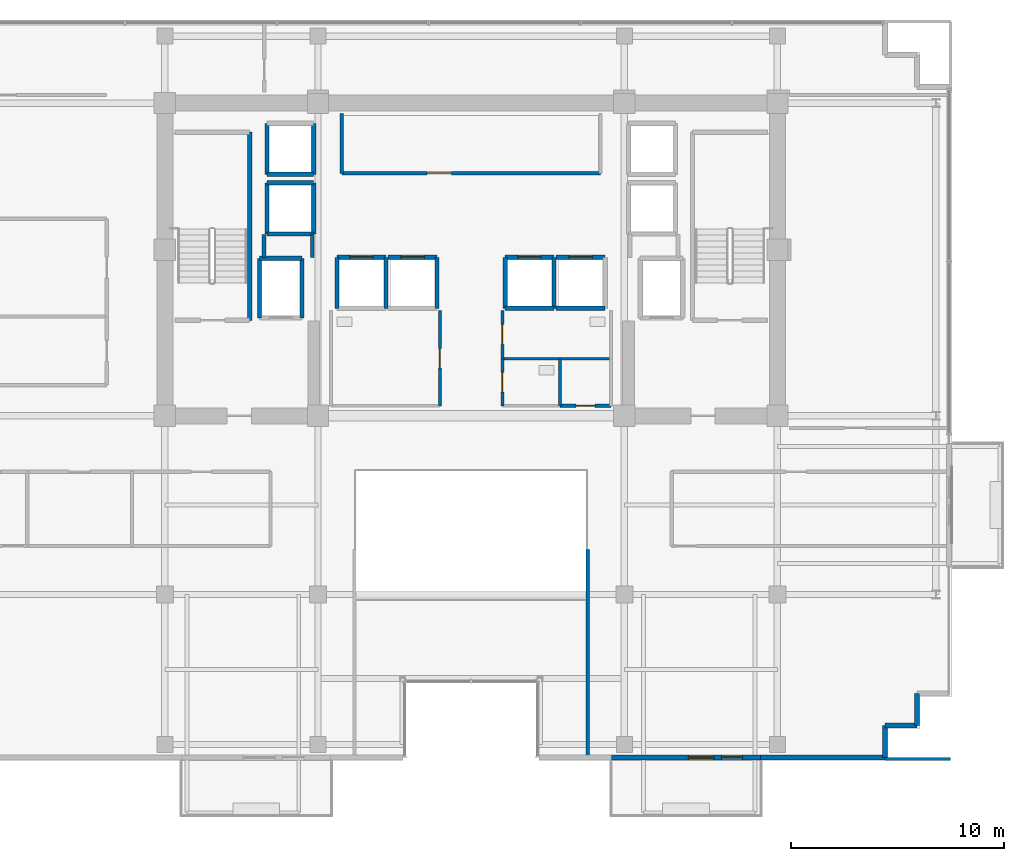
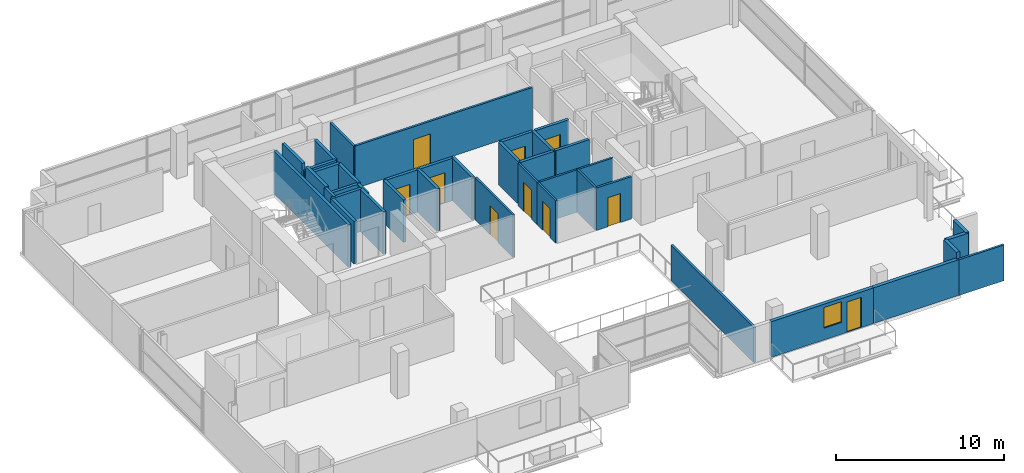
# One storey, part 19 of 25: 39 walls, 10 doors, 1 window, 11 openings.
"""IFC4 building model written with IfcOpenShell, lengths in metres."""

from ifc_helpers import new_model, si_unit, direction, frame, frame_2d, origin, place, context, subcontext, project, spatial, rectangle, extrude, source, transform, mapped, material, layer, layer_set, type_object, element, fill, save


model = new_model("IFC4")

# Units and contexts
model_context = context("Model", 3, precision=1e-05, world=origin(), true_north=direction((0.0, 1.0)))
body_context = subcontext(model_context, "Body", "Model", "MODEL_VIEW")
ifc_project = project(units=[si_unit("LENGTHUNIT", "METRE"), si_unit("AREAUNIT", "SQUARE_METRE"), si_unit("VOLUMEUNIT", "CUBIC_METRE"), si_unit("PLANEANGLEUNIT", "RADIAN"), si_unit("MASSUNIT", "GRAM", prefix="KILO")], contexts=[model_context])

# Site, building, storey
site_placement = place(None, origin())
site = spatial("IfcSite", under=ifc_project, at=site_placement, CompositionType="ELEMENT")
building_placement = place(site_placement, origin())
building = spatial("IfcBuilding", under=site, at=building_placement, Name="Zarnakvel Exchange Tower", CompositionType="ELEMENT")
storey_placement = place(building_placement, frame((0.0, 0.0, 169.300048828125)))
storey = spatial("IfcBuildingStorey", under=building, at=storey_placement, Name="L47", CompositionType="ELEMENT", Elevation=169.300048828125)

# Wall, openings, door, window
ifc_material_1 = material(Name="Precast concrete C40/50", Category="concrete")
ifc_layer_1 = layer(ifc_material_1, 0.239990234375)
ifc_layer_set_1 = layer_set([ifc_layer_1], Name="Precast concrete C40/50")
wall_type_1 = type_object("IfcWallType", Name="EW-02", PredefinedType="SOLIDWALL", material=ifc_layer_set_1)
wall_1_placement = place(storey_placement, frame((13.60009765625, -17.260009765625, 0.0), z_axis=(0.0, 0.0, 1.0), x_axis=(-1.0, 0.0, 0.0)))
wall_1 = element("IfcWall", 1, at=wall_1_placement, inside=storey, type_object=wall_type_1, Name="L47 Exterior Precast Spandrel Wall EW-BAL-L47-SE (EW-02)", PredefinedType="SOLIDWALL", context=body_context, shape_type="SweptSolid", body=[
    extrude(rectangle(XDim=7.0, YDim=0.239990234375, at=frame_2d((3.5, 0.0))), origin(), (0.0, 0.0, 1.0), 2.58984375),
])
opening_1_placement = place(wall_1_placement, frame((0.840087890625, 0.0, 0.0)))
opening_1 = element("IfcOpeningElement", 2, at=opening_1_placement, cuts=wall_1, Name="Opening BD-L47-02", PredefinedType="OPENING", context=body_context, shape_type="SweptSolid", body=[
    extrude(rectangle(XDim=1.0, YDim=2.199951171875, at=frame_2d((0.5, 1.10009765625))), frame((0.0, 0.1298828125, 0.0), z_axis=(0.0, -1.0, 0.0), x_axis=(1.0, 0.0, 0.0)), (0.0, 0.0, 1.0), 0.260009765625),
])
opening_2_placement = place(wall_1_placement, frame((2.18994140625, 0.0, 0.85009765625)))
opening_2 = element("IfcOpeningElement", 3, at=opening_2_placement, cuts=wall_1, Name="Opening WN-04", PredefinedType="OPENING", context=body_context, shape_type="SweptSolid", body=[
    extrude(rectangle(XDim=1.199951171875, YDim=1.5, at=frame_2d((0.60009765625, 0.75))), frame((0.0, 0.1298828125, 0.0), z_axis=(0.0, -1.0, 0.0), x_axis=(1.0, 0.0, 0.0)), (0.0, 0.0, 1.0), 0.260009765625),
])
ifc_material_2 = material(Name="Architectural Bronze Anodised Aluminium", Category="aluminium")
door_type_1 = type_object("IfcDoorType", Name="DT-09", OperationType="NOTDEFINED", PredefinedType="DOOR", material=ifc_material_2)
shared_shape_1 = source(origin(), body_context, "Body", "SweptSolid", [
    extrude(rectangle(XDim=1.0, YDim=2.199951171875, at=frame_2d((0.5, 1.10009765625))), frame((0.0, 0.02490234375, 0.0), z_axis=(0.0, -1.0, 0.0), x_axis=(1.0, 0.0, 0.0)), (0.0, 0.0, 1.0), 0.050048828125),
])
door_1_placement = place(opening_1_placement, origin())
door_1 = element("IfcDoor", 4, at=door_1_placement, inside=storey, type_object=door_type_1, Name="L47 Planted Loggia Balcony Door BD-L47-02", OperationType="SINGLE_SWING_RIGHT", OverallHeight=2.199951171875, OverallWidth=1.0, PredefinedType="DOOR", context=body_context, shape_type="MappedRepresentation", body=[
    mapped(shared_shape_1, transform((0.0, 0.0, 0.0), x_axis=(1.0, 0.0, 0.0), y_axis=(0.0, 1.0, 0.0), z_axis=(0.0, 0.0, 1.0), scale=1.0)),
])
fill(opening_1, door_1)
ifc_material_3 = material(Name="Double Low-E Laminated Vision Glass", Category="glass")
window_type = type_object("IfcWindowType", Name="WN-04", PartitioningType="SINGLE_PANEL", PredefinedType="WINDOW", material=ifc_material_3)
shared_shape_2 = source(origin(), body_context, "Body", "SweptSolid", [
    extrude(rectangle(XDim=1.199951171875, YDim=1.5, at=frame_2d((0.60009765625, 0.75))), frame((0.0, 0.030029296875, 0.0), z_axis=(0.0, -1.0, 0.0), x_axis=(1.0, 0.0, 0.0)), (0.0, 0.0, 1.0), 0.06005859375),
])
window_placement = place(opening_2_placement, origin())
window = element("IfcWindow", 5, at=window_placement, inside=storey, type_object=window_type, Name="L47 Loggia Daylight Window (WN-04)", OverallHeight=1.5, OverallWidth=1.199951171875, PartitioningType="SINGLE_PANEL", PredefinedType="WINDOW", context=body_context, shape_type="MappedRepresentation", body=[
    mapped(shared_shape_2, transform((0.0, 0.0, 0.0), x_axis=(1.0, 0.0, 0.0), y_axis=(0.0, 1.0, 0.0), z_axis=(0.0, 0.0, 1.0), scale=1.0)),
])
fill(opening_2, window)

# Walls
for number, where, z_axis, x_axis, name in (
    (6, (20.9599609375, -15.760009765625, 0.0), (0.0, 0.0, 1.0), (0.0, 1.0, 0.0), "L47 Exterior Precast Spandrel Wall EWC-L47-12 (EW-02)"),
    (7, (19.4599609375, -15.760009765625, 0.0), (0.0, 0.0, 1.0), (1.0, 0.0, 0.0), "L47 Exterior Precast Spandrel Wall EWC-L47-13 (EW-02)"),
    (8, (19.4599609375, -17.260009765625, 0.0), (0.0, 0.0, 1.0), (0.0, 1.0, 0.0), "L47 Exterior Precast Spandrel Wall EWC-L47-14 (EW-02)"),
):
    element("IfcWall", number, at=place(storey_placement, frame(where, z_axis=z_axis, x_axis=x_axis)), inside=storey, type_object=wall_type_1, Name=name, PredefinedType="SOLIDWALL", context=body_context, shape_type="SweptSolid", body=[
        extrude(rectangle(XDim=1.5, YDim=0.239990234375, at=frame_2d((0.75, 0.0))), origin(), (0.0, 0.0, 1.0), 3.074951171875),
    ])
wall_2_placement = place(storey_placement, frame((13.60009765625, -17.260009765625, 0.0), z_axis=(0.0, 0.0, 1.0), x_axis=(1.0, 0.0, 0.0)))
element("IfcWall", 9, at=wall_2_placement, inside=storey, type_object=wall_type_1, Name="L47 Exterior Precast Spandrel Wall EWC-L47-15 (EW-02)", PredefinedType="SOLIDWALL", context=body_context, shape_type="SweptSolid", body=[
    extrude(rectangle(XDim=5.85986328125, YDim=0.239990234375, at=frame_2d((2.929931640625, 0.0))), origin(), (0.0, 0.0, 1.0), 2.58984375),
])

# Wall, opening, door
ifc_material_4 = material(Name="Fire-Rated Gypsum Stud Partition", Category="gypsum")
ifc_layer_2 = layer(ifc_material_4, 0.14990234375)
ifc_layer_set_2 = layer_set([ifc_layer_2], Name="Fire-Rated Gypsum Stud Partition")
wall_type_2 = type_object("IfcWallType", Name="PT-01", PredefinedType="PARTITIONING", material=ifc_layer_set_2)
wall_3_placement = place(storey_placement, frame((6.080078125, 10.199951171875, 0.0), z_axis=(0.0, 0.0, 1.0), x_axis=(-1.0, 0.0, 0.0)))
wall_3 = element("IfcWall", 10, at=wall_3_placement, inside=storey, type_object=wall_type_2, Name="L47 Partition Wall PWALL-L47-011 (PT-01)", PredefinedType="PARTITIONING", context=body_context, shape_type="SweptSolid", body=[
    extrude(rectangle(XDim=12.16015625, YDim=0.14990234375, at=frame_2d((6.080078125, 0.0))), origin(), (0.0, 0.0, 1.0), 3.074951171875),
])
opening_3_placement = place(wall_3_placement, frame((7.0048828125, 0.0, 0.0)))
opening_3 = element("IfcOpeningElement", 11, at=opening_3_placement, cuts=wall_3, Name="Opening D-L47-05", PredefinedType="OPENING", context=body_context, shape_type="SweptSolid", body=[
    extrude(rectangle(XDim=1.14990234375, YDim=2.14990234375, at=frame_2d((0.574951171875, 1.074951171875))), frame((0.0, 0.0849609375, 0.0), z_axis=(0.0, -1.0, 0.0), x_axis=(1.0, 0.0, 0.0)), (0.0, 0.0, 1.0), 0.169921875),
])
ifc_material_5 = material(Name="Painted Galvanised Steel S355", Category="steel")
door_type_2 = type_object("IfcDoorType", Name="DT-04", OperationType="NOTDEFINED", PredefinedType="DOOR", material=ifc_material_5)
shared_shape_3 = source(origin(), body_context, "Body", "SweptSolid", [
    extrude(rectangle(XDim=1.14990234375, YDim=2.14990234375, at=frame_2d((0.574951171875, 1.074951171875))), frame((0.0, 0.02490234375, 0.0), z_axis=(0.0, -1.0, 0.0), x_axis=(1.0, 0.0, 0.0)), (0.0, 0.0, 1.0), 0.050048828125),
])
door_2_placement = place(opening_3_placement, origin())
door_2 = element("IfcDoor", 12, at=door_2_placement, inside=storey, type_object=door_type_2, Name="L47 Market Data Archive Suite Door D-L47-05", OperationType="SINGLE_SWING_RIGHT", OverallHeight=2.14990234375, OverallWidth=1.14990234375, PredefinedType="DOOR", context=body_context, shape_type="MappedRepresentation", body=[
    mapped(shared_shape_3, transform((0.0, 0.0, 0.0), x_axis=(1.0, 0.0, 0.0), y_axis=(0.0, 1.0, 0.0), z_axis=(0.0, 0.0, 1.0), scale=1.0)),
])
fill(opening_3, door_2)

# Wall
wall_4_placement = place(storey_placement, frame((-6.080078125, 10.199951171875, 0.0), z_axis=(0.0, 0.0, 1.0), x_axis=(0.0, 1.0, 0.0)))
element("IfcWall", 13, at=wall_4_placement, inside=storey, type_object=wall_type_2, Name="L47 Partition Wall PWALL-L47-012 (PT-01)", PredefinedType="PARTITIONING", context=body_context, shape_type="SweptSolid", body=[
    extrude(rectangle(XDim=2.800048828125, YDim=0.14990234375, at=frame_2d((1.39990234375, 0.0))), origin(), (0.0, 0.0, 1.0), 3.074951171875),
])

# Wall, opening, door
wall_5_placement = place(storey_placement, frame((6.580078125, -0.72998046875, 0.0), z_axis=(0.0, 0.0, 1.0), x_axis=(-1.0, 0.0, 0.0)))
wall_5 = element("IfcWall", 14, at=wall_5_placement, inside=storey, type_object=wall_type_2, Name="L47 Partition Wall PWALL-L47-023 (PT-01)", PredefinedType="PARTITIONING", context=body_context, shape_type="SweptSolid", body=[
    extrude(rectangle(XDim=2.400146484375, YDim=0.14990234375, at=frame_2d((1.2001953125, 0.0))), origin(), (0.0, 0.0, 1.0), 3.074951171875),
])
opening_4_placement = place(wall_5_placement, frame((0.760009765625, 0.0, 0.0)))
opening_4 = element("IfcOpeningElement", 15, at=opening_4_placement, cuts=wall_5, Name="Opening D-L47-09", PredefinedType="OPENING", context=body_context, shape_type="SweptSolid", body=[
    extrude(rectangle(XDim=0.8798828125, YDim=2.10009765625, at=frame_2d((0.43994140625, 1.050048828125))), frame((0.0, 0.0849609375, 0.0), z_axis=(0.0, -1.0, 0.0), x_axis=(1.0, 0.0, 0.0)), (0.0, 0.0, 1.0), 0.169921875),
])
door_type_3 = type_object("IfcDoorType", Name="DT-08", OperationType="NOTDEFINED", PredefinedType="DOOR", material=ifc_material_5)
shared_shape_4 = source(origin(), body_context, "Body", "SweptSolid", [
    extrude(rectangle(XDim=0.8798828125, YDim=2.10009765625, at=frame_2d((0.43994140625, 1.050048828125))), frame((0.0, 0.02490234375, 0.0), z_axis=(0.0, -1.0, 0.0), x_axis=(1.0, 0.0, 0.0)), (0.0, 0.0, 1.0), 0.050048828125),
])
door_3_placement = place(opening_4_placement, origin())
door_3 = element("IfcDoor", 16, at=door_3_placement, inside=storey, type_object=door_type_3, Name="L47 Cleaners Store Door D-L47-09", OperationType="SINGLE_SWING_RIGHT", OverallHeight=2.10009765625, OverallWidth=0.8798828125, PredefinedType="DOOR", context=body_context, shape_type="MappedRepresentation", body=[
    mapped(shared_shape_4, transform((0.0, 0.0, 0.0), x_axis=(1.0, 0.0, 0.0), y_axis=(0.0, 1.0, 0.0), z_axis=(0.0, 0.0, 1.0), scale=1.0)),
])
fill(opening_4, door_3)

# Walls
wall_6_placement = place(storey_placement, frame((22.530029296875, -17.330078125, 0.0), z_axis=(0.0, 0.0, 1.0), x_axis=(-1.0, 0.0, 0.0)))
element("IfcWall", 17, at=wall_6_placement, inside=storey, type_object=wall_type_2, Name="L47 Partition Wall PWALL-L47-042 (PT-01)", PredefinedType="PARTITIONING", context=body_context, shape_type="SweptSolid", body=[
    extrude(rectangle(XDim=3.070068359375, YDim=0.14990234375, at=frame_2d((1.53515625, 0.0))), origin(), (0.0, 0.0, 1.0), 2.58984375),
])
wall_7_placement = place(storey_placement, frame((5.47998046875, -17.330078125, 0.0), z_axis=(0.0, 0.0, 1.0), x_axis=(0.0, 1.0, 0.0)))
element("IfcWall", 18, at=wall_7_placement, inside=storey, type_object=wall_type_2, Name="L47 Partition Wall PWALL-L47-043 (PT-01)", PredefinedType="PARTITIONING", context=body_context, shape_type="SweptSolid", body=[
    extrude(rectangle(XDim=9.85009765625, YDim=0.14990234375, at=frame_2d((4.925048828125, 0.0))), origin(), (0.0, 0.0, 1.0), 2.56494140625),
])
ifc_layer_3 = layer(ifc_material_4, 0.179931640625)
ifc_layer_set_3 = layer_set([ifc_layer_3], Name="Fire-Rated Gypsum Stud Partition")
wall_type_3 = type_object("IfcWallType", Name="PT-02", PredefinedType="PARTITIONING", material=ifc_layer_set_3)
wall_8_placement = place(storey_placement, frame((-9.72998046875, 6.239990234375, 0.0), z_axis=(0.0, 0.0, 1.0), x_axis=(0.0, 1.0, 0.0)))
element("IfcWall", 19, at=wall_8_placement, inside=storey, type_object=wall_type_3, Name="L47 Partition Wall PWALL-L47-007 (PT-02)", PredefinedType="PARTITIONING", context=body_context, shape_type="SweptSolid", body=[
    extrude(rectangle(XDim=1.090087890625, YDim=0.179931640625, at=frame_2d((0.544921875, 0.0))), origin(), (0.0, 0.0, 1.0), 3.074951171875),
])
wall_9_placement = place(storey_placement, frame((-7.469970703125, 7.330078125, 0.0), z_axis=(0.0, 0.0, 1.0), x_axis=(0.0, -1.0, 0.0)))
element("IfcWall", 20, at=wall_9_placement, inside=storey, type_object=wall_type_3, Name="L47 Partition Wall PWALL-L47-008 (PT-02)", PredefinedType="PARTITIONING", context=body_context, shape_type="SweptSolid", body=[
    extrude(rectangle(XDim=1.090087890625, YDim=0.179931640625, at=frame_2d((0.544921875, 0.0))), origin(), (0.0, 0.0, 1.0), 2.56494140625),
])

# Wall, opening, door
ifc_material_6 = material(Name="Moisture-Resistant Tile-Faced Partition", Category="gypsum")
ifc_layer_4 = layer(ifc_material_6, 0.135009765625)
ifc_layer_set_4 = layer_set([ifc_layer_4], Name="Moisture-Resistant Tile-Faced Partition")
wall_type_4 = type_object("IfcWallType", Name="PT-03", PredefinedType="PARTITIONING", material=ifc_layer_set_4)
wall_10_placement = place(storey_placement, frame((-1.469970703125, 3.760009765625, 0.0), z_axis=(0.0, 0.0, 1.0), x_axis=(0.0, -1.0, 0.0)))
wall_10 = element("IfcWall", 21, at=wall_10_placement, inside=storey, type_object=wall_type_4, Name="L47 Partition Wall PWALL-L47-016 (PT-03)", PredefinedType="PARTITIONING", context=body_context, shape_type="SweptSolid", body=[
    extrude(rectangle(XDim=4.489990234375, YDim=0.135009765625, at=frame_2d((2.2451171875, 0.0))), origin(), (0.0, 0.0, 1.0), 3.074951171875),
])
opening_5_placement = place(wall_10_placement, frame((1.800048828125, 0.0, 0.0)))
opening_5 = element("IfcOpeningElement", 22, at=opening_5_placement, cuts=wall_10, Name="Opening D-L47-06", PredefinedType="OPENING", context=body_context, shape_type="SweptSolid", body=[
    extrude(rectangle(XDim=0.919921875, YDim=2.10009765625, at=frame_2d((0.4599609375, 1.050048828125))), frame((0.0, 0.077392578125, 0.0), z_axis=(0.0, -1.0, 0.0), x_axis=(1.0, 0.0, 0.0)), (0.0, 0.0, 1.0), 0.155029296875),
])
ifc_material_7 = material(Name="Moisture-Resistant Laminate Timber", Category="wood")
door_type_4 = type_object("IfcDoorType", Name="DT-07", OperationType="NOTDEFINED", PredefinedType="DOOR", material=ifc_material_7)
shared_shape_5 = source(origin(), body_context, "Body", "SweptSolid", [
    extrude(rectangle(XDim=0.919921875, YDim=2.10009765625, at=frame_2d((0.4599609375, 1.050048828125))), frame((0.0, 0.02490234375, 0.0), z_axis=(0.0, -1.0, 0.0), x_axis=(1.0, 0.0, 0.0)), (0.0, 0.0, 1.0), 0.050048828125),
])
door_4_placement = place(opening_5_placement, origin())
door_4 = element("IfcDoor", 23, at=door_4_placement, inside=storey, type_object=door_type_4, Name="L47 Male Toilet Door D-L47-06", OperationType="SINGLE_SWING_LEFT", OverallHeight=2.10009765625, OverallWidth=0.919921875, PredefinedType="DOOR", context=body_context, shape_type="MappedRepresentation", body=[
    mapped(shared_shape_5, transform((0.0, 0.0, 0.0), x_axis=(1.0, 0.0, 0.0), y_axis=(0.0, 1.0, 0.0), z_axis=(0.0, 0.0, 1.0), scale=1.0)),
])
fill(opening_5, door_4)

# Wall
wall_11_placement = place(storey_placement, frame((6.580078125, 1.47998046875, 0.0), z_axis=(0.0, 0.0, 1.0), x_axis=(-1.0, 0.0, 0.0)))
element("IfcWall", 24, at=wall_11_placement, inside=storey, type_object=wall_type_4, Name="L47 Partition Wall PWALL-L47-017 (PT-03)", PredefinedType="PARTITIONING", context=body_context, shape_type="SweptSolid", body=[
    extrude(rectangle(XDim=5.110107421875, YDim=0.135009765625, at=frame_2d((2.55517578125, 0.0))), origin(), (0.0, 0.0, 1.0), 3.074951171875),
])

# Wall, opening, door
wall_12_placement = place(storey_placement, frame((1.469970703125, 1.47998046875, 0.0), z_axis=(0.0, 0.0, 1.0), x_axis=(0.0, 1.0, 0.0)))
wall_12 = element("IfcWall", 25, at=wall_12_placement, inside=storey, type_object=wall_type_4, Name="L47 Partition Wall PWALL-L47-018 (PT-03)", PredefinedType="PARTITIONING", context=body_context, shape_type="SweptSolid", body=[
    extrude(rectangle(XDim=2.280029296875, YDim=0.135009765625, at=frame_2d((1.14013671875, 0.0))), origin(), (0.0, 0.0, 1.0), 3.074951171875),
])
opening_6_placement = place(wall_12_placement, frame((0.679931640625, 0.0, 0.0)))
opening_6 = element("IfcOpeningElement", 26, at=opening_6_placement, cuts=wall_12, Name="Opening D-L47-07", PredefinedType="OPENING", context=body_context, shape_type="SweptSolid", body=[
    extrude(rectangle(XDim=0.919921875, YDim=2.10009765625, at=frame_2d((0.4599609375, 1.050048828125))), frame((0.0, 0.077392578125, 0.0), z_axis=(0.0, -1.0, 0.0), x_axis=(1.0, 0.0, 0.0)), (0.0, 0.0, 1.0), 0.155029296875),
])
door_5_placement = place(opening_6_placement, origin())
door_5 = element("IfcDoor", 27, at=door_5_placement, inside=storey, type_object=door_type_4, Name="L47 Female Toilet Door D-L47-07", OperationType="SINGLE_SWING_RIGHT", OverallHeight=2.10009765625, OverallWidth=0.919921875, PredefinedType="DOOR", context=body_context, shape_type="MappedRepresentation", body=[
    mapped(shared_shape_5, transform((0.0, 0.0, 0.0), x_axis=(1.0, 0.0, 0.0), y_axis=(0.0, 1.0, 0.0), z_axis=(0.0, 0.0, 1.0), scale=1.0)),
])
fill(opening_6, door_5)

wall_13_placement = place(storey_placement, frame((1.469970703125, -0.72998046875, 0.0), z_axis=(0.0, 0.0, 1.0), x_axis=(0.0, 1.0, 0.0)))
wall_13 = element("IfcWall", 28, at=wall_13_placement, inside=storey, type_object=wall_type_4, Name="L47 Partition Wall PWALL-L47-021 (PT-03)", PredefinedType="PARTITIONING", context=body_context, shape_type="SweptSolid", body=[
    extrude(rectangle(XDim=2.2099609375, YDim=0.135009765625, at=frame_2d((1.10498046875, 0.0))), origin(), (0.0, 0.0, 1.0), 3.074951171875),
])
opening_7_placement = place(wall_13_placement, frame((0.64990234375, 0.0, 0.0)))
opening_7 = element("IfcOpeningElement", 29, at=opening_7_placement, cuts=wall_13, Name="Opening D-L47-08", PredefinedType="OPENING", context=body_context, shape_type="SweptSolid", body=[
    extrude(rectangle(XDim=0.919921875, YDim=2.10009765625, at=frame_2d((0.4599609375, 1.050048828125))), frame((0.0, 0.077392578125, 0.0), z_axis=(0.0, -1.0, 0.0), x_axis=(1.0, 0.0, 0.0)), (0.0, 0.0, 1.0), 0.155029296875),
])
door_6_placement = place(opening_7_placement, origin())
door_6 = element("IfcDoor", 30, at=door_6_placement, inside=storey, type_object=door_type_4, Name="L47 Accessible Toilet Door D-L47-08", OperationType="SINGLE_SWING_LEFT", OverallHeight=2.10009765625, OverallWidth=0.919921875, PredefinedType="DOOR", context=body_context, shape_type="MappedRepresentation", body=[
    mapped(shared_shape_5, transform((0.0, 0.0, 0.0), x_axis=(1.0, 0.0, 0.0), y_axis=(0.0, 1.0, 0.0), z_axis=(0.0, 0.0, 1.0), scale=1.0)),
])
fill(opening_7, door_6)

# Walls
wall_14_placement = place(storey_placement, frame((4.179931640625, 1.47998046875, 0.0), z_axis=(0.0, 0.0, 1.0), x_axis=(0.0, -1.0, 0.0)))
element("IfcWall", 31, at=wall_14_placement, inside=storey, type_object=wall_type_4, Name="L47 Partition Wall PWALL-L47-022 (PT-03)", PredefinedType="PARTITIONING", context=body_context, shape_type="SweptSolid", body=[
    extrude(rectangle(XDim=2.2099609375, YDim=0.135009765625, at=frame_2d((1.10498046875, 0.0))), origin(), (0.0, 0.0, 1.0), 3.074951171875),
])
ifc_material_8 = material(Name="Concrete C40/50", Category="concrete")
ifc_layer_5 = layer(ifc_material_8, 0.199951171875)
ifc_layer_set_5 = layer_set([ifc_layer_5], Name="Concrete C40/50")
wall_type_5 = type_object("IfcWallType", Name="SW-01", PredefinedType="SOLIDWALL", material=ifc_layer_set_5)
wall_15_placement = place(storey_placement, frame((-9.949951171875, 6.199951171875, 0.0), z_axis=(0.0, 0.0, 1.0), x_axis=(1.0, 0.0, 0.0)))
element("IfcWall", 32, at=wall_15_placement, inside=storey, type_object=wall_type_5, Name="L47 FL-01 Hoistway Wall North", PredefinedType="SOLIDWALL", context=body_context, shape_type="SweptSolid", body=[
    extrude(rectangle(XDim=2.0, YDim=0.199951171875, at=frame_2d((1.0, 0.0))), origin(), (0.0, 0.0, 1.0), 3.074951171875),
])
for number, where, z_axis, x_axis, name in (
    (33, (-9.949951171875, 3.39990234375, 0.0), (0.0, 0.0, 1.0), (0.0, 1.0, 0.0), "L47 FL-01 Hoistway Wall West"),
    (34, (-7.949951171875, 6.199951171875, 0.0), (0.0, 0.0, 1.0), (0.0, -1.0, 0.0), "L47 FL-01 Hoistway Wall East"),
):
    element("IfcWall", number, at=place(storey_placement, frame(where, z_axis=z_axis, x_axis=x_axis)), inside=storey, type_object=wall_type_5, Name=name, PredefinedType="SOLIDWALL", context=body_context, shape_type="SweptSolid", body=[
        extrude(rectangle(XDim=2.800048828125, YDim=0.199951171875, at=frame_2d((1.39990234375, 0.0))), origin(), (0.0, 0.0, 1.0), 3.074951171875),
    ])

# Wall, opening, door
wall_16_placement = place(storey_placement, frame((-6.300048828125, 6.25, 0.0), z_axis=(0.0, 0.0, 1.0), x_axis=(1.0, 0.0, 0.0)))
wall_16 = element("IfcWall", 35, at=wall_16_placement, inside=storey, type_object=wall_type_5, Name="L47 PL-05 Hoistway Wall North", PredefinedType="SOLIDWALL", context=body_context, shape_type="SweptSolid", body=[
    extrude(rectangle(XDim=2.300048828125, YDim=0.199951171875, at=frame_2d((1.14990234375, 0.0))), origin(), (0.0, 0.0, 1.0), 3.074951171875),
])
opening_8_placement = place(wall_16_placement, frame((0.60009765625, 0.0, 0.0)))
opening_8 = element("IfcOpeningElement", 36, at=opening_8_placement, cuts=wall_16, Name="Opening LD-PL-05-L47", PredefinedType="OPENING", context=body_context, shape_type="SweptSolid", body=[
    extrude(rectangle(XDim=1.10009765625, YDim=2.199951171875, at=frame_2d((0.550048828125, 1.10009765625))), frame((0.0, 0.10986328125, 0.0), z_axis=(0.0, -1.0, 0.0), x_axis=(1.0, 0.0, 0.0)), (0.0, 0.0, 1.0), 0.219970703125),
])
door_type_5 = type_object("IfcDoorType", Name="LDT-02", OperationType="NOTDEFINED", PredefinedType="DOOR", material=ifc_material_2)
shared_shape_6 = source(origin(), body_context, "Body", "SweptSolid", [
    extrude(rectangle(XDim=1.10009765625, YDim=2.199951171875, at=frame_2d((0.550048828125, 1.10009765625))), frame((0.0, 0.02490234375, 0.0), z_axis=(0.0, -1.0, 0.0), x_axis=(1.0, 0.0, 0.0)), (0.0, 0.0, 1.0), 0.050048828125),
])
door_7_placement = place(opening_8_placement, origin())
door_7 = element("IfcDoor", 37, at=door_7_placement, inside=storey, type_object=door_type_5, Name="L47 PL-05 Lift Landing Door LD-PL-05-L47", OperationType="DOUBLE_DOOR_SLIDING", OverallHeight=2.199951171875, OverallWidth=1.10009765625, PredefinedType="DOOR", context=body_context, shape_type="MappedRepresentation", body=[
    mapped(shared_shape_6, transform((0.0, 0.0, 0.0), x_axis=(1.0, 0.0, 0.0), y_axis=(0.0, 1.0, 0.0), z_axis=(0.0, 0.0, 1.0), scale=1.0)),
])
fill(opening_8, door_7)

# Walls
for number, where, z_axis, x_axis, name in (
    (38, (-6.300048828125, 3.85009765625, 0.0), (0.0, 0.0, 1.0), (0.0, 1.0, 0.0), "L47 PL-05 Hoistway Wall West"),
    (39, (-4.0, 6.25, 0.0), (0.0, 0.0, 1.0), (0.0, -1.0, 0.0), "L47 PL-05 Hoistway Wall East"),
):
    element("IfcWall", number, at=place(storey_placement, frame(where, z_axis=z_axis, x_axis=x_axis)), inside=storey, type_object=wall_type_5, Name=name, PredefinedType="SOLIDWALL", context=body_context, shape_type="SweptSolid", body=[
        extrude(rectangle(XDim=2.39990234375, YDim=0.199951171875, at=frame_2d((1.199951171875, 0.0))), origin(), (0.0, 0.0, 1.0), 3.074951171875),
    ])

# Wall, opening, door
wall_17_placement = place(storey_placement, frame((-3.89990234375, 6.25, 0.0), z_axis=(0.0, 0.0, 1.0), x_axis=(1.0, 0.0, 0.0)))
wall_17 = element("IfcWall", 40, at=wall_17_placement, inside=storey, type_object=wall_type_5, Name="L47 PL-06 Hoistway Wall North", PredefinedType="SOLIDWALL", context=body_context, shape_type="SweptSolid", body=[
    extrude(rectangle(XDim=2.2998046875, YDim=0.199951171875, at=frame_2d((1.14990234375, 0.0))), origin(), (0.0, 0.0, 1.0), 3.074951171875),
])
opening_9_placement = place(wall_17_placement, frame((0.60009765625, 0.0, 0.0)))
opening_9 = element("IfcOpeningElement", 41, at=opening_9_placement, cuts=wall_17, Name="Opening LD-PL-06-L47", PredefinedType="OPENING", context=body_context, shape_type="SweptSolid", body=[
    extrude(rectangle(XDim=1.10009765625, YDim=2.199951171875, at=frame_2d((0.550048828125, 1.10009765625))), frame((0.0, 0.10986328125, 0.0), z_axis=(0.0, -1.0, 0.0), x_axis=(1.0, 0.0, 0.0)), (0.0, 0.0, 1.0), 0.219970703125),
])
door_8_placement = place(opening_9_placement, origin())
door_8 = element("IfcDoor", 42, at=door_8_placement, inside=storey, type_object=door_type_5, Name="L47 PL-06 Lift Landing Door LD-PL-06-L47", OperationType="DOUBLE_DOOR_SLIDING", OverallHeight=2.199951171875, OverallWidth=1.10009765625, PredefinedType="DOOR", context=body_context, shape_type="MappedRepresentation", body=[
    mapped(shared_shape_6, transform((0.0, 0.0, 0.0), x_axis=(1.0, 0.0, 0.0), y_axis=(0.0, 1.0, 0.0), z_axis=(0.0, 0.0, 1.0), scale=1.0)),
])
fill(opening_9, door_8)

# Walls
wall_18_placement = place(storey_placement, frame((-1.60009765625, 6.25, 0.0), z_axis=(0.0, 0.0, 1.0), x_axis=(0.0, -1.0, 0.0)))
element("IfcWall", 43, at=wall_18_placement, inside=storey, type_object=wall_type_5, Name="L47 PL-06 Hoistway Wall East", PredefinedType="SOLIDWALL", context=body_context, shape_type="SweptSolid", body=[
    extrude(rectangle(XDim=2.39990234375, YDim=0.199951171875, at=frame_2d((1.199951171875, 0.0))), origin(), (0.0, 0.0, 1.0), 3.074951171875),
])
wall_19_placement = place(storey_placement, frame((3.89990234375, 3.85009765625, 0.0), z_axis=(0.0, 0.0, 1.0), x_axis=(-1.0, 0.0, 0.0)))
element("IfcWall", 44, at=wall_19_placement, inside=storey, type_object=wall_type_5, Name="L47 PL-07 Hoistway Wall South", PredefinedType="SOLIDWALL", context=body_context, shape_type="SweptSolid", body=[
    extrude(rectangle(XDim=2.2998046875, YDim=0.199951171875, at=frame_2d((1.14990234375, 0.0))), origin(), (0.0, 0.0, 1.0), 3.074951171875),
])

# Wall, opening, door
wall_20_placement = place(storey_placement, frame((1.60009765625, 6.25, 0.0), z_axis=(0.0, 0.0, 1.0), x_axis=(1.0, 0.0, 0.0)))
wall_20 = element("IfcWall", 45, at=wall_20_placement, inside=storey, type_object=wall_type_5, Name="L47 PL-07 Hoistway Wall North", PredefinedType="SOLIDWALL", context=body_context, shape_type="SweptSolid", body=[
    extrude(rectangle(XDim=2.2998046875, YDim=0.199951171875, at=frame_2d((1.14990234375, 0.0))), origin(), (0.0, 0.0, 1.0), 3.074951171875),
])
opening_10_placement = place(wall_20_placement, frame((0.60009765625, 0.0, 0.0)))
opening_10 = element("IfcOpeningElement", 46, at=opening_10_placement, cuts=wall_20, Name="Opening LD-PL-07-L47", PredefinedType="OPENING", context=body_context, shape_type="SweptSolid", body=[
    extrude(rectangle(XDim=1.10009765625, YDim=2.199951171875, at=frame_2d((0.550048828125, 1.10009765625))), frame((0.0, 0.10986328125, 0.0), z_axis=(0.0, -1.0, 0.0), x_axis=(1.0, 0.0, 0.0)), (0.0, 0.0, 1.0), 0.219970703125),
])
door_9_placement = place(opening_10_placement, origin())
door_9 = element("IfcDoor", 47, at=door_9_placement, inside=storey, type_object=door_type_5, Name="L47 PL-07 Lift Landing Door LD-PL-07-L47", OperationType="DOUBLE_DOOR_SLIDING", OverallHeight=2.199951171875, OverallWidth=1.10009765625, PredefinedType="DOOR", context=body_context, shape_type="MappedRepresentation", body=[
    mapped(shared_shape_6, transform((0.0, 0.0, 0.0), x_axis=(1.0, 0.0, 0.0), y_axis=(0.0, 1.0, 0.0), z_axis=(0.0, 0.0, 1.0), scale=1.0)),
])
fill(opening_10, door_9)

# Walls
for number, where, z_axis, x_axis, name in (
    (48, (1.60009765625, 3.85009765625, 0.0), (0.0, 0.0, 1.0), (0.0, 1.0, 0.0), "L47 PL-07 Hoistway Wall West"),
    (49, (3.89990234375, 6.25, 0.0), (0.0, 0.0, 1.0), (0.0, -1.0, 0.0), "L47 PL-07 Hoistway Wall East"),
):
    element("IfcWall", number, at=place(storey_placement, frame(where, z_axis=z_axis, x_axis=x_axis)), inside=storey, type_object=wall_type_5, Name=name, PredefinedType="SOLIDWALL", context=body_context, shape_type="SweptSolid", body=[
        extrude(rectangle(XDim=2.39990234375, YDim=0.199951171875, at=frame_2d((1.199951171875, 0.0))), origin(), (0.0, 0.0, 1.0), 3.074951171875),
    ])
wall_21_placement = place(storey_placement, frame((6.300048828125, 3.85009765625, 0.0), z_axis=(0.0, 0.0, 1.0), x_axis=(-1.0, 0.0, 0.0)))
element("IfcWall", 50, at=wall_21_placement, inside=storey, type_object=wall_type_5, Name="L47 PL-08 Hoistway Wall South", PredefinedType="SOLIDWALL", context=body_context, shape_type="SweptSolid", body=[
    extrude(rectangle(XDim=2.300048828125, YDim=0.199951171875, at=frame_2d((1.14990234375, 0.0))), origin(), (0.0, 0.0, 1.0), 3.074951171875),
])

# Wall, opening, door
wall_22_placement = place(storey_placement, frame((4.0, 6.25, 0.0), z_axis=(0.0, 0.0, 1.0), x_axis=(1.0, 0.0, 0.0)))
wall_22 = element("IfcWall", 51, at=wall_22_placement, inside=storey, type_object=wall_type_5, Name="L47 PL-08 Hoistway Wall North", PredefinedType="SOLIDWALL", context=body_context, shape_type="SweptSolid", body=[
    extrude(rectangle(XDim=2.300048828125, YDim=0.199951171875, at=frame_2d((1.14990234375, 0.0))), origin(), (0.0, 0.0, 1.0), 3.074951171875),
])
opening_11_placement = place(wall_22_placement, frame((0.60009765625, 0.0, 0.0)))
opening_11 = element("IfcOpeningElement", 52, at=opening_11_placement, cuts=wall_22, Name="Opening LD-PL-08-L47", PredefinedType="OPENING", context=body_context, shape_type="SweptSolid", body=[
    extrude(rectangle(XDim=1.10009765625, YDim=2.199951171875, at=frame_2d((0.550048828125, 1.10009765625))), frame((0.0, 0.10986328125, 0.0), z_axis=(0.0, -1.0, 0.0), x_axis=(1.0, 0.0, 0.0)), (0.0, 0.0, 1.0), 0.219970703125),
])
door_10_placement = place(opening_11_placement, origin())
door_10 = element("IfcDoor", 53, at=door_10_placement, inside=storey, type_object=door_type_5, Name="L47 PL-08 Lift Landing Door LD-PL-08-L47", OperationType="DOUBLE_DOOR_SLIDING", OverallHeight=2.199951171875, OverallWidth=1.10009765625, PredefinedType="DOOR", context=body_context, shape_type="MappedRepresentation", body=[
    mapped(shared_shape_6, transform((0.0, 0.0, 0.0), x_axis=(1.0, 0.0, 0.0), y_axis=(0.0, 1.0, 0.0), z_axis=(0.0, 0.0, 1.0), scale=1.0)),
])
fill(opening_11, door_10)

# Walls
for number, where, z_axis, x_axis, name in (
    (54, (-7.39990234375, 7.35009765625, 0.0), (0.0, 0.0, 1.0), (-1.0, 0.0, 0.0), "L47 PL-09 Hoistway Wall South"),
    (55, (-9.60009765625, 9.75, 0.0), (0.0, 0.0, 1.0), (1.0, 0.0, 0.0), "L47 PL-09 Hoistway Wall North"),
):
    element("IfcWall", number, at=place(storey_placement, frame(where, z_axis=z_axis, x_axis=x_axis)), inside=storey, type_object=wall_type_5, Name=name, PredefinedType="SOLIDWALL", context=body_context, shape_type="SweptSolid", body=[
        extrude(rectangle(XDim=2.2001953125, YDim=0.199951171875, at=frame_2d((1.10009765625, 0.0))), origin(), (0.0, 0.0, 1.0), 2.56494140625),
    ])
wall_23_placement = place(storey_placement, frame((-9.60009765625, 7.35009765625, 0.0), z_axis=(0.0, 0.0, 1.0), x_axis=(0.0, 1.0, 0.0)))
element("IfcWall", 56, at=wall_23_placement, inside=storey, type_object=wall_type_5, Name="L47 PL-09 Hoistway Wall West", PredefinedType="SOLIDWALL", context=body_context, shape_type="SweptSolid", body=[
    extrude(rectangle(XDim=2.39990234375, YDim=0.199951171875, at=frame_2d((1.199951171875, 0.0))), origin(), (0.0, 0.0, 1.0), 3.074951171875),
])
wall_24_placement = place(storey_placement, frame((-7.39990234375, 9.75, 0.0), z_axis=(0.0, 0.0, 1.0), x_axis=(0.0, -1.0, 0.0)))
element("IfcWall", 57, at=wall_24_placement, inside=storey, type_object=wall_type_5, Name="L47 PL-09 Hoistway Wall East", PredefinedType="SOLIDWALL", context=body_context, shape_type="SweptSolid", body=[
    extrude(rectangle(XDim=2.39990234375, YDim=0.199951171875, at=frame_2d((1.199951171875, 0.0))), origin(), (0.0, 0.0, 1.0), 2.56494140625),
])
wall_25_placement = place(storey_placement, frame((-7.39990234375, 10.14990234375, 0.0), z_axis=(0.0, 0.0, 1.0), x_axis=(-1.0, 0.0, 0.0)))
element("IfcWall", 58, at=wall_25_placement, inside=storey, type_object=wall_type_5, Name="L47 PL-10 Hoistway Wall South", PredefinedType="SOLIDWALL", context=body_context, shape_type="SweptSolid", body=[
    extrude(rectangle(XDim=2.2001953125, YDim=0.199951171875, at=frame_2d((1.10009765625, 0.0))), origin(), (0.0, 0.0, 1.0), 2.56494140625),
])
wall_26_placement = place(storey_placement, frame((-9.60009765625, 10.14990234375, 0.0), z_axis=(0.0, 0.0, 1.0), x_axis=(0.0, 1.0, 0.0)))
element("IfcWall", 59, at=wall_26_placement, inside=storey, type_object=wall_type_5, Name="L47 PL-10 Hoistway Wall West", PredefinedType="SOLIDWALL", context=body_context, shape_type="SweptSolid", body=[
    extrude(rectangle(XDim=2.400146484375, YDim=0.199951171875, at=frame_2d((1.2001953125, 0.0))), origin(), (0.0, 0.0, 1.0), 3.074951171875),
])
wall_27_placement = place(storey_placement, frame((-7.39990234375, 12.550048828125, 0.0), z_axis=(0.0, 0.0, 1.0), x_axis=(0.0, -1.0, 0.0)))
element("IfcWall", 60, at=wall_27_placement, inside=storey, type_object=wall_type_5, Name="L47 PL-10 Hoistway Wall East", PredefinedType="SOLIDWALL", context=body_context, shape_type="SweptSolid", body=[
    extrude(rectangle(XDim=2.400146484375, YDim=0.199951171875, at=frame_2d((1.2001953125, 0.0))), origin(), (0.0, 0.0, 1.0), 2.56494140625),
])
ifc_layer_6 = layer(ifc_material_8, 0.199951171875)
ifc_layer_set_6 = layer_set([ifc_layer_6], Name="Concrete C40/50")
wall_type_6 = type_object("IfcWallType", Name="SW-02", PredefinedType="SOLIDWALL", material=ifc_layer_set_6)
wall_28_placement = place(storey_placement, frame((-10.409912109375, 12.1298828125, 0.0), z_axis=(0.0, 0.0, 1.0), x_axis=(0.0, -1.0, 0.0)))
element("IfcWall", 61, at=wall_28_placement, inside=storey, type_object=wall_type_6, Name="L47 Stairwell Core Wall PWALL-L47-003 (SW-02)", PredefinedType="SOLIDWALL", context=body_context, shape_type="SweptSolid", body=[
    extrude(rectangle(XDim=8.83984375, YDim=0.199951171875, at=frame_2d((4.419921875, 0.0))), origin(), (0.0, 0.0, 1.0), 3.074951171875),
])

save(model, "model.ifc")
